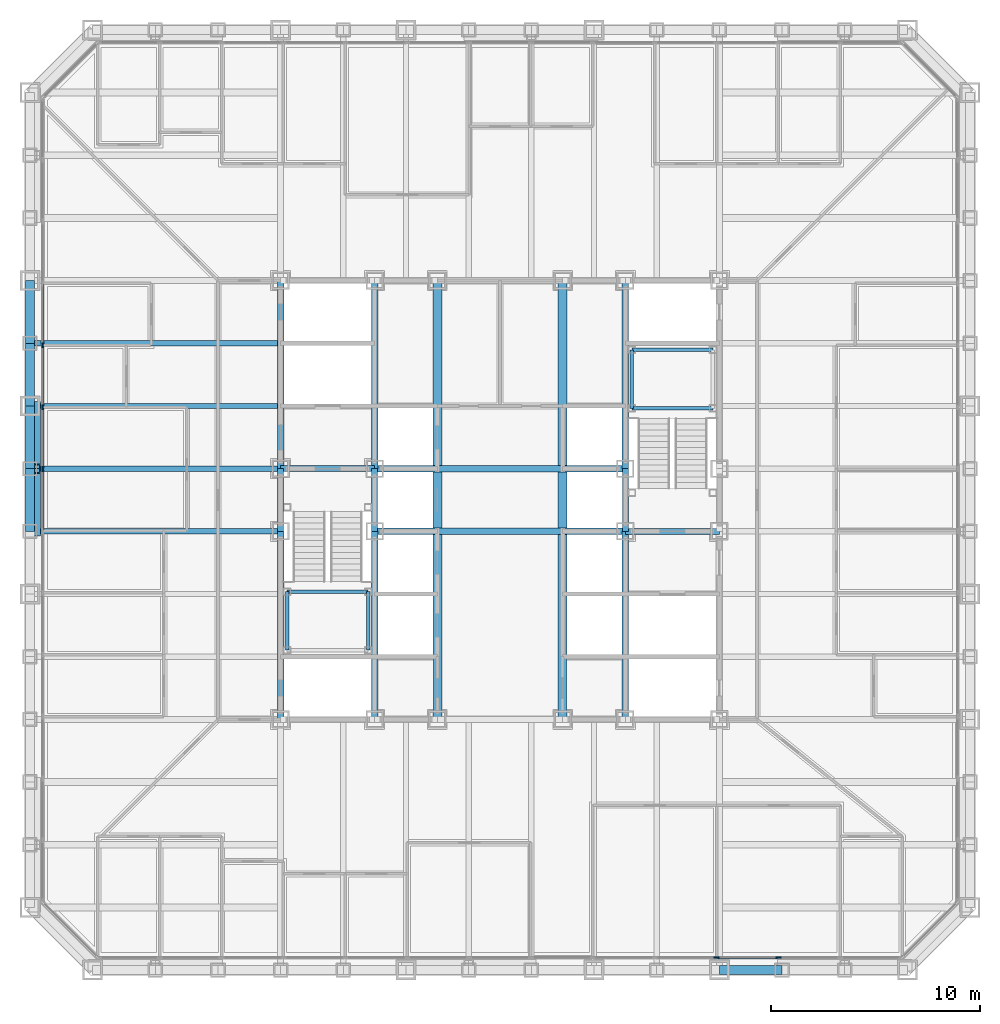
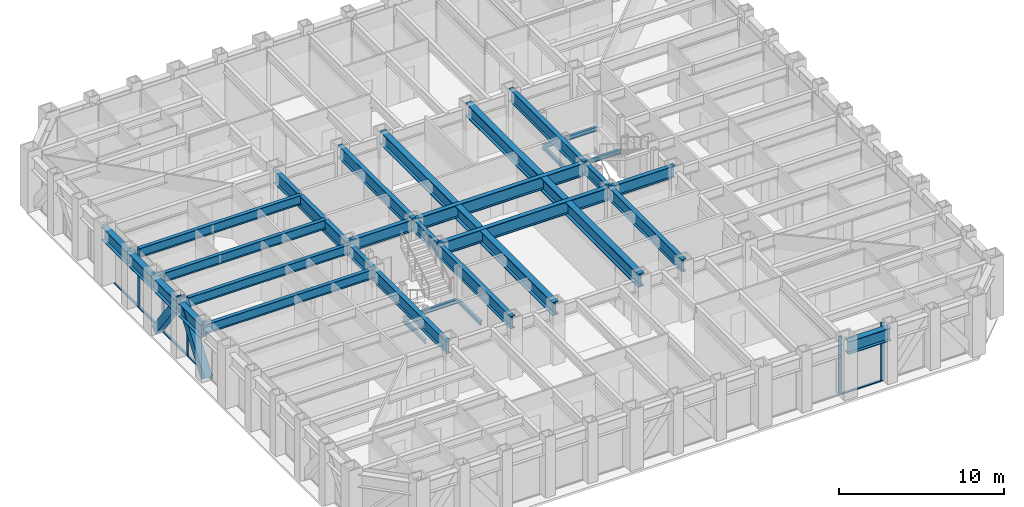
# One storey, part 3 of 17: 34 beams, 12 members, 2 elements without a shape of their own.
"""IFC4 building model written with IfcOpenShell, lengths in metres."""

from ifc_helpers import new_model, si_unit, direction, frame, origin, origin_2d, place, context, subcontext, project, spatial, rectangle, hollow_rectangle, i_section, extrude, material, layer, layer_set, material_profile, profile_set, type_object, element, aggregate, save


model = new_model("IFC4")

# Units and contexts
model_context = context("Model", 3, precision=1e-05, world=origin(), true_north=direction((0.0, 1.0)))
body_context = subcontext(model_context, "Body", "Model", "MODEL_VIEW")
ifc_project = project(units=[si_unit("LENGTHUNIT", "METRE"), si_unit("AREAUNIT", "SQUARE_METRE"), si_unit("VOLUMEUNIT", "CUBIC_METRE"), si_unit("PLANEANGLEUNIT", "RADIAN"), si_unit("MASSUNIT", "GRAM", prefix="KILO")], contexts=[model_context])

# Site, building, storey
site_placement = place(None, origin())
site = spatial("IfcSite", under=ifc_project, at=site_placement, CompositionType="ELEMENT")
building_placement = place(site_placement, origin())
building = spatial("IfcBuilding", under=site, at=building_placement, Name="Chuquiago Exchange Tower", CompositionType="ELEMENT")
storey_placement = place(building_placement, frame((0.0, 0.0, 37.800048828125)))
storey = spatial("IfcBuildingStorey", under=building, at=storey_placement, Name="L07", CompositionType="ELEMENT", Elevation=37.800048828125)

# Beams
ifc_material_1 = material(Name="Steel ASTM A992", Category="steel")
ifc_material_profile_1 = material_profile(ifc_material_1, i_section(OverallWidth=0.307373046875, OverallDepth=0.927001953125, WebThickness=0.01953125, FlangeThickness=0.031982421875, at=origin_2d()), Name="W36X194")
ifc_profile_set_1 = profile_set([ifc_material_profile_1], Name="Steel ASTM A992")
beam_type_1 = type_object("IfcBeamType", Name="B10 W36X194", PredefinedType="BEAM", material=ifc_profile_set_1)
for number, where, z_axis, x_axis, name in (
    (1, (12.0, 12.0, 3.576416015625), (0.0, 1.0, 0.0), (-1.0, 0.0, 0.0), "CB-L08-12_12-12_21"),
    (2, (12.0, 24.0, 3.576416015625), (0.0, 1.0, 0.0), (-1.0, 0.0, 0.0), "CB-L08-12_24-12_33"),
    (3, (16.5, 12.0, 3.87646484375), (0.0, 1.0, 0.0), (-1.0, 0.0, 0.0), "CB-L08-16.5_12-16.5_21"),
    (4, (16.5, 24.0, 3.87646484375), (0.0, 1.0, 0.0), (-1.0, 0.0, 0.0), "CB-L08-16.5_24-16.5_33"),
    (5, (28.5, 12.0, 3.87646484375), (0.0, 1.0, 0.0), (-1.0, 0.0, 0.0), "CB-L08-28.5_12-28.5_21"),
    (6, (28.5, 24.0, 3.87646484375), (0.0, 1.0, 0.0), (-1.0, 0.0, 0.0), "CB-L08-28.5_24-28.5_33"),
):
    element("IfcBeam", number, at=place(storey_placement, frame(where, z_axis=z_axis, x_axis=x_axis)), inside=storey, type_object=beam_type_1, Name=name, PredefinedType="BEAM", context=body_context, shape_type="SweptSolid", body=[
        extrude(i_section(OverallWidth=0.307373046875, OverallDepth=0.927001953125, WebThickness=0.01953125, FlangeThickness=0.031982421875, at=origin_2d()), origin(), (0.0, 0.0, 1.0), 9.0),
    ])
ifc_material_2 = material(Name="Steel ASTM A992", Category="steel")
ifc_material_profile_2 = material_profile(ifc_material_2, i_section(OverallWidth=0.309814453125, OverallDepth=0.949951171875, WebThickness=0.0244140625, FlangeThickness=0.0439453125, at=origin_2d()), Name="W36X256")
ifc_profile_set_2 = profile_set([ifc_material_profile_2], Name="Steel ASTM A992")
beam_type_2 = type_object("IfcBeamType", Name="B11 W36X256", PredefinedType="BEAM", material=ifc_profile_set_2)
for number, where, z_axis, x_axis, name in (
    (7, (16.5, 21.0, 3.864990234375), (1.0, 0.0, 0.0), (0.0, 1.0, 0.0), "CB-L08-16.5_21-28.5_21"),
    (8, (16.5, 24.0, 3.864990234375), (1.0, 0.0, 0.0), (0.0, 1.0, 0.0), "CB-L08-16.5_24-28.5_24"),
):
    element("IfcBeam", number, at=place(storey_placement, frame(where, z_axis=z_axis, x_axis=x_axis)), inside=storey, type_object=beam_type_2, Name=name, PredefinedType="BEAM", context=body_context, shape_type="SweptSolid", body=[
        extrude(i_section(OverallWidth=0.309814453125, OverallDepth=0.949951171875, WebThickness=0.0244140625, FlangeThickness=0.0439453125, at=origin_2d()), origin(), (0.0, 0.0, 1.0), 12.0),
    ])
ifc_material_3 = material(Name="Steel ASTM A992", Category="steel")
ifc_material_profile_3 = material_profile(ifc_material_3, i_section(OverallWidth=0.4267578125, OverallDepth=0.975341796875, WebThickness=0.031005859375, FlangeThickness=0.055908203125, at=origin_2d()), Name="W36X395")
ifc_profile_set_3 = profile_set([ifc_material_profile_3], Name="Steel ASTM A992")
beam_type_3 = type_object("IfcBeamType", Name="B12 W36X395", PredefinedType="BEAM", material=ifc_profile_set_3)
beam_1_placement = place(storey_placement, frame((19.5, 12.0, 3.852294921875), z_axis=(0.0, 1.0, 0.0), x_axis=(-1.0, 0.0, 0.0)))
element("IfcBeam", 9, at=beam_1_placement, inside=storey, type_object=beam_type_3, Name="CB-L08-19.5_12-19.5_20.8451", PredefinedType="BEAM", context=body_context, shape_type="SweptSolid", body=[
    extrude(i_section(OverallWidth=0.4267578125, OverallDepth=0.975341796875, WebThickness=0.031005859375, FlangeThickness=0.055908203125, at=origin_2d()), origin(), (0.0, 0.0, 1.0), 8.84521484375),
])
beam_2_placement = place(storey_placement, frame((19.5, 21.15478515625, 3.852294921875), z_axis=(0.0, 1.0, 0.0), x_axis=(-1.0, 0.0, 0.0)))
element("IfcBeam", 10, at=beam_2_placement, inside=storey, type_object=beam_type_3, Name="CB-L08-19.5_21.1549-19.5_23.8451", PredefinedType="BEAM", context=body_context, shape_type="SweptSolid", body=[
    extrude(i_section(OverallWidth=0.4267578125, OverallDepth=0.975341796875, WebThickness=0.031005859375, FlangeThickness=0.055908203125, at=origin_2d()), origin(), (0.0, 0.0, 1.0), 2.6904296875),
])
for number, where, z_axis, x_axis, name in (
    (11, (19.5, 24.15478515625, 3.852294921875), (0.0, 1.0, 0.0), (-1.0, 0.0, 0.0), "CB-L08-19.5_24.1549-19.5_33"),
    (12, (25.5, 12.0, 3.852294921875), (0.0, 1.0, 0.0), (-1.0, 0.0, 0.0), "CB-L08-25.5_12-25.5_20.8451"),
):
    element("IfcBeam", number, at=place(storey_placement, frame(where, z_axis=z_axis, x_axis=x_axis)), inside=storey, type_object=beam_type_3, Name=name, PredefinedType="BEAM", context=body_context, shape_type="SweptSolid", body=[
        extrude(i_section(OverallWidth=0.4267578125, OverallDepth=0.975341796875, WebThickness=0.031005859375, FlangeThickness=0.055908203125, at=origin_2d()), origin(), (0.0, 0.0, 1.0), 8.84521484375),
    ])
beam_3_placement = place(storey_placement, frame((25.5, 21.15478515625, 3.852294921875), z_axis=(0.0, 1.0, 0.0), x_axis=(-1.0, 0.0, 0.0)))
element("IfcBeam", 13, at=beam_3_placement, inside=storey, type_object=beam_type_3, Name="CB-L08-25.5_21.1549-25.5_23.8451", PredefinedType="BEAM", context=body_context, shape_type="SweptSolid", body=[
    extrude(i_section(OverallWidth=0.4267578125, OverallDepth=0.975341796875, WebThickness=0.031005859375, FlangeThickness=0.055908203125, at=origin_2d()), origin(), (0.0, 0.0, 1.0), 2.6904296875),
])
beam_4_placement = place(storey_placement, frame((25.5, 24.15478515625, 3.852294921875), z_axis=(0.0, 1.0, 0.0), x_axis=(-1.0, 0.0, 0.0)))
element("IfcBeam", 14, at=beam_4_placement, inside=storey, type_object=beam_type_3, Name="CB-L08-25.5_24.1549-25.5_33", PredefinedType="BEAM", context=body_context, shape_type="SweptSolid", body=[
    extrude(i_section(OverallWidth=0.4267578125, OverallDepth=0.975341796875, WebThickness=0.031005859375, FlangeThickness=0.055908203125, at=origin_2d()), origin(), (0.0, 0.0, 1.0), 8.84521484375),
])
ifc_material_4 = material(Name="Steel ASTM A992", Category="steel")
ifc_material_profile_4 = material_profile(ifc_material_4, i_section(OverallWidth=0.2919921875, OverallDepth=0.8583984375, WebThickness=0.01708984375, FlangeThickness=0.031005859375, at=origin_2d()), Name="W33X169")
ifc_profile_set_4 = profile_set([ifc_material_profile_4], Name="Steel ASTM A992")
beam_type_4 = type_object("IfcBeamType", Name="B3 W33X169", PredefinedType="BEAM", material=ifc_profile_set_4)
for number, where, z_axis, x_axis, name in (
    (15, (12.0, 21.0, 3.610595703125), (0.0, 1.0, 0.0), (-1.0, 0.0, 0.0), "CB-L08-12_21-12_24"),
    (16, (16.5, 21.0, 3.91064453125), (0.0, 1.0, 0.0), (-1.0, 0.0, 0.0), "CB-L08-16.5_21-16.5_24"),
    (17, (28.5, 21.0, 3.91064453125), (0.0, 1.0, 0.0), (-1.0, 0.0, 0.0), "CB-L08-28.5_21-28.5_24"),
):
    element("IfcBeam", number, at=place(storey_placement, frame(where, z_axis=z_axis, x_axis=x_axis)), inside=storey, type_object=beam_type_4, Name=name, PredefinedType="BEAM", context=body_context, shape_type="SweptSolid", body=[
        extrude(i_section(OverallWidth=0.2919921875, OverallDepth=0.8583984375, WebThickness=0.01708984375, FlangeThickness=0.031005859375, at=origin_2d()), origin(), (0.0, 0.0, 1.0), 3.0),
    ])
for number, where, z_axis, x_axis, name in (
    (18, (28.5, 21.0, 3.91064453125), (1.0, 0.0, 0.0), (0.0, 1.0, 0.0), "CB-L08-28.5_21-33_21"),
    (19, (12.0, 24.0, 3.91064453125), (1.0, 0.0, 0.0), (0.0, 1.0, 0.0), "CB-L08-12_24-16.5_24"),
):
    element("IfcBeam", number, at=place(storey_placement, frame(where, z_axis=z_axis, x_axis=x_axis)), inside=storey, type_object=beam_type_4, Name=name, PredefinedType="BEAM", context=body_context, shape_type="SweptSolid", body=[
        extrude(i_section(OverallWidth=0.2919921875, OverallDepth=0.8583984375, WebThickness=0.01708984375, FlangeThickness=0.031005859375, at=origin_2d()), origin(), (0.0, 0.0, 1.0), 4.5),
    ])
ifc_material_5 = material(Name="Steel ASTM A992", Category="steel")
ifc_material_profile_5 = material_profile(ifc_material_5, i_section(OverallWidth=0.256591796875, OverallDepth=0.693359375, WebThickness=0.014404296875, FlangeThickness=0.023681640625, at=origin_2d()), Name="W27X114")
ifc_profile_set_5 = profile_set([ifc_material_profile_5], Name="Steel ASTM A992")
beam_type_5 = type_object("IfcBeamType", Name="B4 W27X114", PredefinedType="BEAM", material=ifc_profile_set_5)
for number, where, z_axis, x_axis, name in (
    (20, (12.0, 21.0, 3.693359375), (-1.0, 0.0, 0.0), (0.0, -1.0, 0.0), "FB-L08-infill-12_21--0_21-0"),
    (21, (12.0, 24.0, 3.693359375), (-1.0, 0.0, 0.0), (0.0, -1.0, 0.0), "FB-L08-infill-12_24--0_24-0"),
    (22, (12.0, 27.0, 3.693359375), (-1.0, 0.0, 0.0), (0.0, -1.0, 0.0), "FB-L08-infill-12_27--0_27-0"),
    (23, (12.0, 30.0, 3.693359375), (-1.0, 0.0, 0.0), (0.0, -1.0, 0.0), "FB-L08-infill-12_30--0_30-0"),
):
    element("IfcBeam", number, at=place(storey_placement, frame(where, z_axis=z_axis, x_axis=x_axis)), inside=storey, type_object=beam_type_5, Name=name, PredefinedType="BEAM", context=body_context, shape_type="SweptSolid", body=[
        extrude(i_section(OverallWidth=0.256591796875, OverallDepth=0.693359375, WebThickness=0.014404296875, FlangeThickness=0.023681640625, at=origin_2d()), origin(), (0.0, 0.0, 1.0), 12.0),
    ])

# Curtain wall, members
ifc_material_6 = material(Name="Aluminium curtain wall system", Category="aluminium")
ifc_layer = layer(ifc_material_6, 0.25)
ifc_layer_set = layer_set([ifc_layer], Name="CW1 trading floor curtain wall")
curtain_wall_type = type_object("IfcCurtainWallType", Name="CW1 trading floor curtain wall", PredefinedType="NOTDEFINED", material=ifc_layer_set)
curtain_wall_1_placement = place(storey_placement, origin())
curtain_wall_1 = element("IfcCurtainWall", 24, at=curtain_wall_1_placement, inside=storey, type_object=curtain_wall_type, Name="CW1 curtain wall L07", PredefinedType="NOTDEFINED")
ifc_material_7 = material(Name="Aluminium mullion, pale anodised", Category="aluminium")
ifc_material_profile_6 = material_profile(ifc_material_7, rectangle(XDim=0.074951171875, YDim=0.25, at=origin_2d()), Name="AL 75x250")
ifc_profile_set_6 = profile_set([ifc_material_profile_6], Name="Aluminium mullion, pale anodised")
member_type_1 = type_object("IfcMemberType", Name="CW1-M mullion 75x250", PredefinedType="MULLION", material=ifc_profile_set_6)
member_1_placement = place(storey_placement, frame((32.8662109375, 0.60009765625, -0.300048828125), z_axis=(0.0, 0.0, 1.0), x_axis=(0.0, 1.0, 0.0)))
member_1 = element("IfcMember", 25, at=member_1_placement, type_object=member_type_1, Name="CW1 mullion 11", PredefinedType="MULLION", context=body_context, shape_type="SweptSolid", body=[
    extrude(rectangle(XDim=0.074951171875, YDim=0.25, at=origin_2d()), origin(), (0.0, 0.0, 1.0), 4.340087890625),
])
member_2_placement = place(storey_placement, frame((35.827880859375, 0.60009765625, -0.300048828125), z_axis=(0.0, 0.0, 1.0), x_axis=(0.0, 1.0, 0.0)))
member_2 = element("IfcMember", 26, at=member_2_placement, type_object=member_type_1, Name="CW1 mullion 12", PredefinedType="MULLION", context=body_context, shape_type="SweptSolid", body=[
    extrude(rectangle(XDim=0.074951171875, YDim=0.25, at=origin_2d()), origin(), (0.0, 0.0, 1.0), 4.340087890625),
])

curtain_wall_2_placement = place(storey_placement, origin())
curtain_wall_2 = element("IfcCurtainWall", 27, at=curtain_wall_2_placement, inside=storey, type_object=curtain_wall_type, Name="CW1 curtain wall L07", PredefinedType="NOTDEFINED")
member_3_placement = place(storey_placement, frame((0.60009765625, 29.904541015625, -0.300048828125), z_axis=(0.0, 0.0, 1.0), x_axis=(1.0, 0.0, 0.0)))
member_3 = element("IfcMember", 28, at=member_3_placement, type_object=member_type_1, Name="CW1 mullion 5", PredefinedType="MULLION", context=body_context, shape_type="SweptSolid", body=[
    extrude(rectangle(XDim=0.074951171875, YDim=0.25, at=origin_2d()), origin(), (0.0, 0.0, 1.0), 4.340087890625),
])
member_4_placement = place(storey_placement, frame((0.60009765625, 26.942626953125, -0.300048828125), z_axis=(0.0, 0.0, 1.0), x_axis=(1.0, 0.0, 0.0)))
member_4 = element("IfcMember", 29, at=member_4_placement, type_object=member_type_1, Name="CW1 mullion 6", PredefinedType="MULLION", context=body_context, shape_type="SweptSolid", body=[
    extrude(rectangle(XDim=0.074951171875, YDim=0.25, at=origin_2d()), origin(), (0.0, 0.0, 1.0), 4.340087890625),
])
member_5_placement = place(storey_placement, frame((0.60009765625, 23.98095703125, -0.300048828125), z_axis=(0.0, 0.0, 1.0), x_axis=(1.0, 0.0, 0.0)))
member_5 = element("IfcMember", 30, at=member_5_placement, type_object=member_type_1, Name="CW1 mullion 7", PredefinedType="MULLION", context=body_context, shape_type="SweptSolid", body=[
    extrude(rectangle(XDim=0.074951171875, YDim=0.25, at=origin_2d()), origin(), (0.0, 0.0, 1.0), 4.340087890625),
])

# Member
ifc_material_8 = material(Name="Aluminium transom, pale anodised", Category="aluminium")
ifc_material_profile_7 = material_profile(ifc_material_8, rectangle(XDim=0.14990234375, YDim=0.074951171875, at=origin_2d()), Name="AL 150x75")
ifc_profile_set_7 = profile_set([ifc_material_profile_7], Name="Aluminium transom, pale anodised")
member_type_2 = type_object("IfcMemberType", Name="CW1-T transom 75x150", PredefinedType="MULLION", material=ifc_profile_set_7)
member_6_placement = place(storey_placement, frame((32.90380859375, 0.60009765625, -0.262451171875), z_axis=(1.0, 0.0, 0.0), x_axis=(0.0, 1.0, 0.0)))
member_6 = element("IfcMember", 31, at=member_6_placement, type_object=member_type_2, Name="CW1 transom 11.1", PredefinedType="MULLION", context=body_context, shape_type="SweptSolid", body=[
    extrude(rectangle(XDim=0.14990234375, YDim=0.074951171875, at=origin_2d()), origin(), (0.0, 0.0, 1.0), 2.88671875),
])

aggregate(curtain_wall_1, [member_1, member_2, member_6])

member_7_placement = place(storey_placement, frame((0.60009765625, 32.82861328125, -0.262451171875), z_axis=(0.0, -1.0, 0.0), x_axis=(1.0, 0.0, 0.0)))
member_7 = element("IfcMember", 32, at=member_7_placement, type_object=member_type_2, Name="CW1 transom 4.1", PredefinedType="MULLION", context=body_context, shape_type="SweptSolid", body=[
    extrude(rectangle(XDim=0.14990234375, YDim=0.074951171875, at=origin_2d()), origin(), (0.0, 0.0, 1.0), 2.88671875),
])

member_8_placement = place(storey_placement, frame((0.60009765625, 29.866943359375, -0.262451171875), z_axis=(0.0, -1.0, 0.0), x_axis=(1.0, 0.0, 0.0)))
member_8 = element("IfcMember", 33, at=member_8_placement, type_object=member_type_2, Name="CW1 transom 5.1", PredefinedType="MULLION", context=body_context, shape_type="SweptSolid", body=[
    extrude(rectangle(XDim=0.14990234375, YDim=0.074951171875, at=origin_2d()), origin(), (0.0, 0.0, 1.0), 2.88671875),
])

member_9_placement = place(storey_placement, frame((0.60009765625, 26.9052734375, -0.262451171875), z_axis=(0.0, -1.0, 0.0), x_axis=(1.0, 0.0, 0.0)))
member_9 = element("IfcMember", 34, at=member_9_placement, type_object=member_type_2, Name="CW1 transom 6.1", PredefinedType="MULLION", context=body_context, shape_type="SweptSolid", body=[
    extrude(rectangle(XDim=0.14990234375, YDim=0.074951171875, at=origin_2d()), origin(), (0.0, 0.0, 1.0), 2.886962890625),
])

member_10_placement = place(storey_placement, frame((0.60009765625, 23.943359375, -0.262451171875), z_axis=(0.0, -1.0, 0.0), x_axis=(1.0, 0.0, 0.0)))
member_10 = element("IfcMember", 35, at=member_10_placement, type_object=member_type_2, Name="CW1 transom 7.1", PredefinedType="MULLION", context=body_context, shape_type="SweptSolid", body=[
    extrude(rectangle(XDim=0.14990234375, YDim=0.074951171875, at=origin_2d()), origin(), (0.0, 0.0, 1.0), 2.88671875),
])

aggregate(curtain_wall_2, [member_3, member_4, member_5, member_7, member_8, member_9, member_10])

# Beams
ifc_material_9 = material(Name="Steel ASTM A992", Category="steel")
ifc_material_profile_8 = material_profile(ifc_material_9, i_section(OverallWidth=0.164794921875, OverallDepth=0.309814453125, WebThickness=0.005859375, FlangeThickness=0.009765625, at=origin_2d()), Name="W12X26")
ifc_profile_set_8 = profile_set([ifc_material_profile_8], Name="Steel ASTM A992")
beam_type_6 = type_object("IfcBeamType", Name="LS1 W12X26", PredefinedType="BEAM", material=ifc_profile_set_8)
for number, where, z_axis, x_axis, name in (
    (36, (12.31005859375, 15.31005859375, 1.89501953125), (0.0, 1.0, 0.0), (-1.0, 0.0, 0.0), "Stair ST1 L07 landing 1 stringer"),
    (37, (16.18994140625, 15.31005859375, 1.89501953125), (0.0, 1.0, 0.0), (-1.0, 0.0, 0.0), "Stair ST1 L07 landing 1 stringer"),
    (38, (28.81005859375, 26.889892578125, 1.89501953125), (0.0, 1.0, 0.0), (-1.0, 0.0, 0.0), "Stair ST2 L07 landing 1 stringer"),
):
    element("IfcBeam", number, at=place(storey_placement, frame(where, z_axis=z_axis, x_axis=x_axis)), inside=storey, type_object=beam_type_6, Name=name, PredefinedType="BEAM", context=body_context, shape_type="SweptSolid", body=[
        extrude(i_section(OverallWidth=0.164794921875, OverallDepth=0.309814453125, WebThickness=0.005859375, FlangeThickness=0.009765625, at=origin_2d()), origin(), (0.0, 0.0, 1.0), 2.800048828125),
    ])
ifc_material_10 = material(Name="Steel ASTM A992", Category="steel")
ifc_material_profile_9 = material_profile(ifc_material_10, i_section(OverallWidth=0.164794921875, OverallDepth=0.309814453125, WebThickness=0.005859375, FlangeThickness=0.009765625, at=origin_2d()), Name="W12X26")
ifc_profile_set_9 = profile_set([ifc_material_profile_9], Name="Steel ASTM A992")
beam_type_7 = type_object("IfcBeamType", Name="LT1 W12X26", PredefinedType="BEAM", material=ifc_profile_set_9)
for number, where, z_axis, x_axis, name in (
    (39, (12.31005859375, 18.110107421875, 1.89501953125), (1.0, 0.0, 0.0), (0.0, 1.0, 0.0), "Stair ST1 L07 landing 1 trimmer"),
    (40, (28.81005859375, 29.68994140625, 1.89501953125), (1.0, 0.0, 0.0), (0.0, 1.0, 0.0), "Stair ST2 L07 landing 1 trimmer"),
    (41, (28.81005859375, 26.889892578125, 1.89501953125), (1.0, 0.0, 0.0), (0.0, 1.0, 0.0), "Stair ST2 L07 landing 1 trimmer"),
):
    element("IfcBeam", number, at=place(storey_placement, frame(where, z_axis=z_axis, x_axis=x_axis)), inside=storey, type_object=beam_type_7, Name=name, PredefinedType="BEAM", context=body_context, shape_type="SweptSolid", body=[
        extrude(i_section(OverallWidth=0.164794921875, OverallDepth=0.309814453125, WebThickness=0.005859375, FlangeThickness=0.009765625, at=origin_2d()), origin(), (0.0, 0.0, 1.0), 3.8798828125),
    ])

# Members
ifc_material_11 = material(Name="Steel ASTM A572 Grade 50", Category="steel")
ifc_material_profile_10 = material_profile(ifc_material_11, hollow_rectangle(XDim=0.550048828125, YDim=0.550048828125, WallThickness=0.044921875, at=origin_2d()), Name="BOX550X550X45")
ifc_profile_set_10 = profile_set([ifc_material_profile_10], Name="Steel ASTM A572 Grade 50")
member_type_3 = type_object("IfcMemberType", Name="MB1 BOX550X550X45", PredefinedType="BRACE", material=ifc_profile_set_10)
for number, where, z_axis, x_axis, name in (
    (42, (0.22998046875, 27.0, 0.0), (0.0, -0.596173923302, 0.802855312728), (1.0, 0.0, 0.0), "Mega diagonal L07 W face"),
    (43, (0.22998046875, 21.0, 0.0), (0.0, 0.596173923302, 0.802855312728), (-1.0, 0.0, 0.0), "Mega diagonal L07 W face"),
):
    element("IfcMember", number, at=place(storey_placement, frame(where, z_axis=z_axis, x_axis=x_axis)), inside=storey, type_object=member_type_3, Name=name, PredefinedType="BRACE", context=body_context, shape_type="SweptSolid", body=[
        extrude(hollow_rectangle(XDim=0.550048828125, YDim=0.550048828125, WallThickness=0.044921875, at=origin_2d()), origin(), (0.0, 0.0, 1.0), 5.031982421875),
    ])

# Beams
ifc_material_12 = material(Name="Steel ASTM A992", Category="steel")
ifc_material_profile_11 = material_profile(ifc_material_12, i_section(OverallWidth=0.424072265625, OverallDepth=0.947509765625, WebThickness=0.02392578125, FlangeThickness=0.042724609375, at=origin_2d()), Name="W36X302")
ifc_profile_set_11 = profile_set([ifc_material_profile_11], Name="Steel ASTM A992")
beam_type_8 = type_object("IfcBeamType", Name="SP1 W36X302", PredefinedType="SPANDREL", material=ifc_profile_set_11)
for number, where, z_axis, x_axis, name in (
    (44, (33.0, 0.0, 3.566162109375), (1.0, 0.0, 0.0), (0.0, 1.0, 0.0), "SPB-L08-33_0-36_0"),
    (45, (0.0, 33.0, 3.566162109375), (0.0, -1.0, 0.0), (1.0, 0.0, 0.0), "SPB-L08-0_33-0_30"),
    (46, (0.0, 30.0, 3.566162109375), (0.0, -1.0, 0.0), (1.0, 0.0, 0.0), "SPB-L08-0_30-0_27"),
    (47, (0.0, 27.0, 3.566162109375), (0.0, -1.0, 0.0), (1.0, 0.0, 0.0), "SPB-L08-0_27-0_24"),
    (48, (0.0, 24.0, 3.566162109375), (0.0, -1.0, 0.0), (1.0, 0.0, 0.0), "SPB-L08-0_24-0_21"),
):
    element("IfcBeam", number, at=place(storey_placement, frame(where, z_axis=z_axis, x_axis=x_axis)), inside=storey, type_object=beam_type_8, Name=name, PredefinedType="SPANDREL", context=body_context, shape_type="SweptSolid", body=[
        extrude(i_section(OverallWidth=0.424072265625, OverallDepth=0.947509765625, WebThickness=0.02392578125, FlangeThickness=0.042724609375, at=origin_2d()), origin(), (0.0, 0.0, 1.0), 3.0),
    ])

save(model, "model.ifc")
